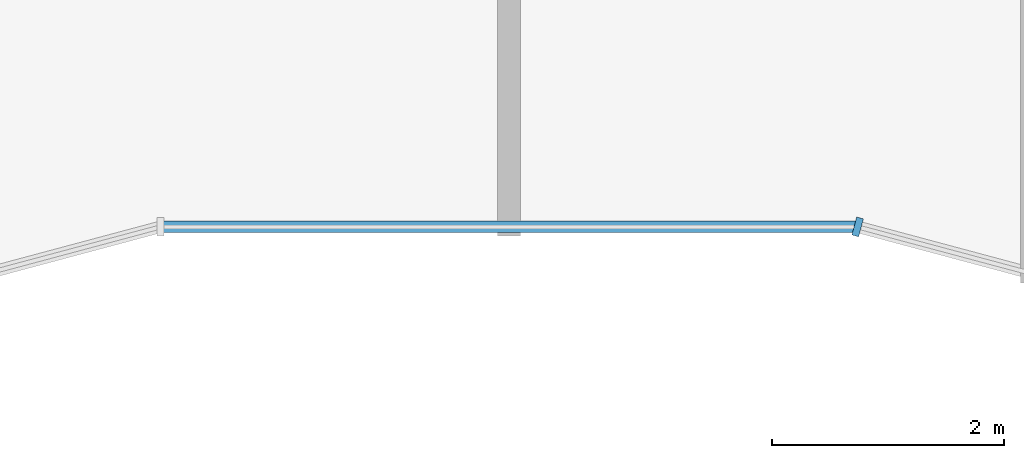
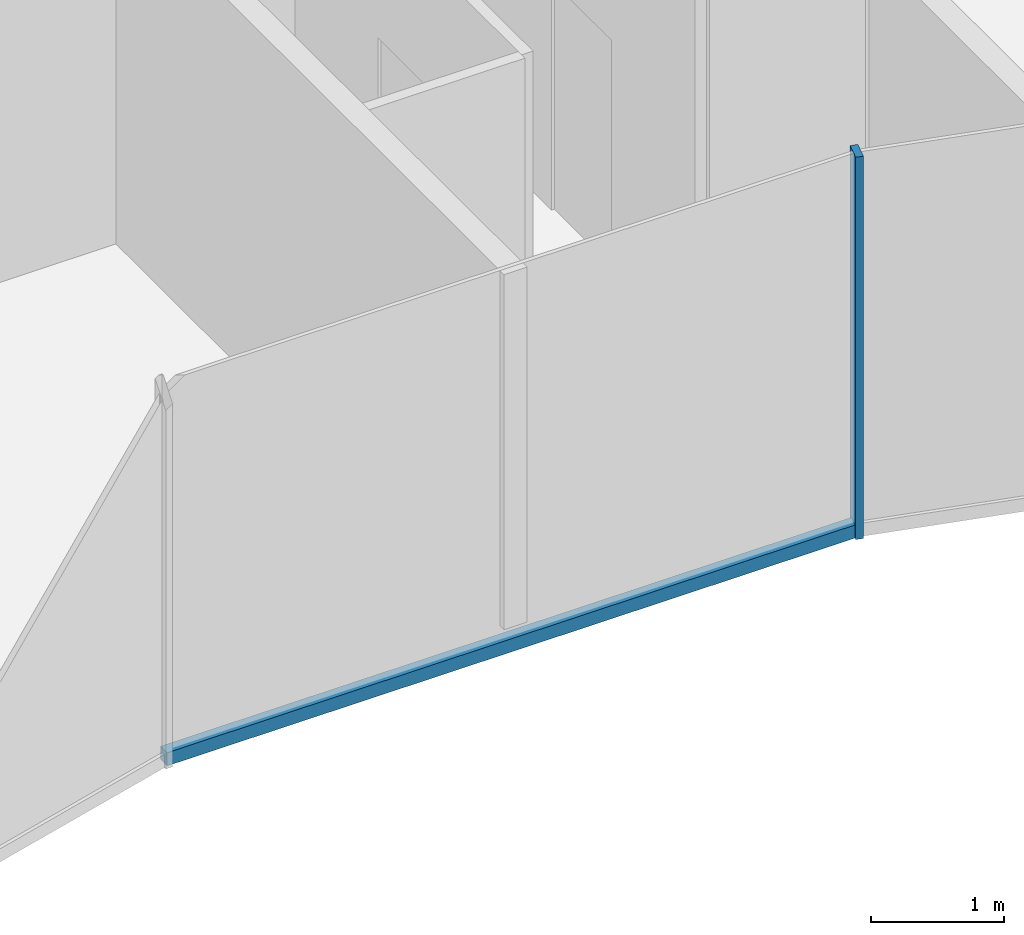
# One storey, part 3 of 17: 2 members, 2 elements without a shape of their own.
"""IFC4 building model written with IfcOpenShell, lengths in metres."""

import ifcopenshell
import ifcopenshell.guid

model = None  # the IFC model being written
_history = None  # IfcOwnerHistory: only IFC2X3 demands one
_inside = {}  # id of a spatial element -> (the spatial element, [elements in it])
_under = {}  # id of a project, library or spatial element -> (it, [spatial elements below it])
_declared = {}  # id of a project -> (the project, [libraries it declares])
_typed = {}  # id of a type object -> (the type object, [elements of that type])
_made_of = {}  # id of a material, layer set ... -> (it, [elements and type objects made of it])


def new_model(schema):
    """Start an empty IFC model of exactly this schema.

    Asked for "IFC4X3", IfcOpenShell would pick the latest addendum, in which some entities
    have other attributes; the version numbers below select the first issue.
    IFC2X3 requires an IfcOwnerHistory on every rooted entity: one is made here for all.
    """
    global model, _history
    if schema == "IFC4X3":
        model = ifcopenshell.file(schema_version=(4, 3, 0, 0))
    else:
        model = ifcopenshell.file(schema=schema)
    _inside.clear()
    _under.clear()
    _declared.clear()
    _typed.clear()
    _made_of.clear()
    _history = None
    if model.schema == "IFC2X3":
        org = make("IfcOrganization", Name="unknown")
        user = make(
            "IfcPersonAndOrganization",
            ThePerson=make("IfcPerson", FamilyName="unknown"),
            TheOrganization=org,
        )
        app = make(
            "IfcApplication",
            ApplicationDeveloper=org,
            Version="unknown",
            ApplicationFullName="unknown",
            ApplicationIdentifier="unknown",
        )
        _history = make(
            "IfcOwnerHistory",
            OwningUser=user,
            OwningApplication=app,
            ChangeAction="ADDED",
            CreationDate=0,
        )
    return model


def make(cls, **values):
    """One entity of the class cls with the attributes given. An attribute that is None is left unset."""
    return model.create_entity(
        cls, **{name: value for name, value in values.items() if value is not None}
    )


def rooted(cls, **values):
    """An entity with a GlobalId (a new one), such as an element, a storey or a relation."""
    return make(cls, GlobalId=ifcopenshell.guid.new(), OwnerHistory=_history, **values)


def si_unit(unit_type, name, prefix=None):
    """IfcSIUnit, for example si_unit("LENGTHUNIT", "METRE", prefix="MILLI")."""
    return make("IfcSIUnit", UnitType=unit_type, Prefix=prefix, Name=name)


def assignment(units):
    """IfcUnitAssignment: the units of a project."""
    return None if units is None else make("IfcUnitAssignment", Units=units)


def point(xyz):
    """IfcCartesianPoint."""
    return None if xyz is None else make("IfcCartesianPoint", Coordinates=xyz)


def direction(xyz):
    """IfcDirection."""
    return None if xyz is None else make("IfcDirection", DirectionRatios=xyz)


def frame(location, z_axis=None, x_axis=None):
    """IfcAxis2Placement3D, a coordinate frame: its origin and axes. An axis left out is left unset."""
    return make(
        "IfcAxis2Placement3D",
        Location=point(location),
        Axis=direction(z_axis),
        RefDirection=direction(x_axis),
    )


def frame_2d(location, x_axis=None):
    """IfcAxis2Placement2D, a coordinate frame in the plane: its origin and x axis."""
    return make(
        "IfcAxis2Placement2D", Location=point(location), RefDirection=direction(x_axis)
    )


def origin():
    """The frame at (0, 0, 0) with its axes left unset."""
    return frame((0.0, 0.0, 0.0))


def origin_2d():
    """The frame at (0, 0) in the plane with its x axis left unset."""
    return frame_2d((0.0, 0.0))


def place(relative_to, where):
    """IfcLocalPlacement: puts the frame where relative to a parent placement (None: the world)."""
    return make(
        "IfcLocalPlacement", PlacementRelTo=relative_to, RelativePlacement=where
    )


def context(
    kind, dimensions, precision=None, world=None, true_north=None, identifier=None
):
    """IfcGeometricRepresentationContext, for example the 3D "Model" context."""
    return make(
        "IfcGeometricRepresentationContext",
        ContextIdentifier=identifier,
        ContextType=kind,
        CoordinateSpaceDimension=dimensions,
        Precision=precision,
        WorldCoordinateSystem=world,
        TrueNorth=true_north,
    )


def subcontext(parent, identifier, kind, view, scale=None):
    """IfcGeometricRepresentationSubContext, for example "Body" below "Model"."""
    return make(
        "IfcGeometricRepresentationSubContext",
        ContextIdentifier=identifier,
        ContextType=kind,
        ParentContext=parent,
        TargetScale=scale,
        TargetView=view,
    )


def project(units=None, contexts=None):
    """IfcProject with its units and contexts."""
    return rooted(
        "IfcProject",
        Name="project",
        RepresentationContexts=contexts,
        UnitsInContext=assignment(units),
    )


def spatial(cls, under=None, at=None, **own):
    """A site, building, storey or space (cls), placed at a placement, below another one or the project."""
    s = rooted(cls, ObjectPlacement=at, **own)
    if under is not None:
        _under.setdefault(under.id(), (under, []))[1].append(s)
    return s


def profile(cls, at=None, kind="AREA", **sizes):
    """A parametric profile (cls). Its sizes go by their IFC names, for example OverallWidth=200.0."""
    return make(cls, ProfileType=kind, Position=at, **sizes)


def rectangle(**sizes):
    """IfcRectangleProfileDef."""
    return profile("IfcRectangleProfileDef", **sizes)


def extrude(swept, where, along, depth):
    """IfcExtrudedAreaSolid: the profile swept, set in the frame where, extruded along a direction by depth."""
    return make(
        "IfcExtrudedAreaSolid",
        SweptArea=swept,
        Position=where,
        ExtrudedDirection=direction(along),
        Depth=depth,
    )


def shape(context_of_items, identifier, shape_type, items):
    """IfcShapeRepresentation: the items that make up one representation, for example the "Body"."""
    return make(
        "IfcShapeRepresentation",
        ContextOfItems=context_of_items,
        RepresentationIdentifier=identifier,
        RepresentationType=shape_type,
        Items=items,
    )


def material(Name=None, Category=None):
    """IfcMaterial."""
    return make("IfcMaterial", Name=Name, Category=Category)


def layer(
    of_material, thickness, ventilated=None, Name=None, Category=None, Priority=None
):
    """IfcMaterialLayer: one layer of a wall or slab, of a material (None: an air gap)."""
    return make(
        "IfcMaterialLayer",
        Material=of_material,
        LayerThickness=thickness,
        IsVentilated=ventilated,
        Name=Name,
        Category=Category,
        Priority=Priority,
    )


def layer_set(layers, Name=None):
    """IfcMaterialLayerSet."""
    return make("IfcMaterialLayerSet", MaterialLayers=layers, LayerSetName=Name)


def material_profile(
    of_material, cross_section, Name=None, Category=None, Priority=None
):
    """IfcMaterialProfile: a cross section and its material."""
    return make(
        "IfcMaterialProfile",
        Name=Name,
        Material=of_material,
        Profile=cross_section,
        Priority=Priority,
        Category=Category,
    )


def profile_set(profiles, Name=None, composite=None):
    """IfcMaterialProfileSet."""
    return make(
        "IfcMaterialProfileSet",
        Name=Name,
        MaterialProfiles=profiles,
        CompositeProfile=composite,
    )


def made_of(thing, what):
    """Note that an element or type object is made of a material, layer set ...; save() writes the relation."""
    if what is not None:
        _made_of.setdefault(what.id(), (what, []))[1].append(thing)
    return thing


def type_object(cls, material=None, **own):
    """A type object (cls), such as IfcWallType, which elements share."""
    return made_of(rooted(cls, **own), material)


def element(
    cls,
    number,
    at=None,
    inside=None,
    cuts=None,
    type_object=None,
    material=None,
    context=None,
    identifier="Body",
    shape_type=None,
    held_by="IfcProductDefinitionShape",
    body=None,
    shapes=None,
    **own,
):
    """One element of the class cls, such as IfcWall. Its Tag is "e" and its number.

    at: its placement. inside: the storey or other place that contains it. cuts: it is an
    opening in that element (IfcRelVoidsElement). A single representation is given by context,
    identifier, shape_type and body (its items); several are given by shapes. held_by: the class
    of the entity that holds the representations. save() writes the other relations.
    """
    e = rooted(cls, Tag="e%d" % number, ObjectPlacement=at, **own)
    if body is not None:
        shapes = [shape(context, identifier, shape_type, body)]
    if shapes is not None:
        e.Representation = make(held_by, Representations=shapes)
    if inside is not None:
        _inside.setdefault(inside.id(), (inside, []))[1].append(e)
    if cuts is not None:
        rooted(
            "IfcRelVoidsElement", RelatingBuildingElement=cuts, RelatedOpeningElement=e
        )
    if type_object is not None:
        _typed.setdefault(type_object.id(), (type_object, []))[1].append(e)
    return made_of(e, material)


def aggregate(whole, parts):
    """IfcRelAggregates: a whole, such as a stair, and the parts it consists of."""
    return rooted("IfcRelAggregates", RelatingObject=whole, RelatedObjects=parts)


def save(model, path):
    """Write the relations noted so far, then the file.

    IfcRelAggregates (storeys below a building ...), IfcRelContainedInSpatialStructure (elements
    in a storey), IfcRelDefinesByType, IfcRelAssociatesMaterial and IfcRelDeclares: one each for
    every whole, place, type object, material and project.
    """
    for whole, parts in _under.values():
        aggregate(whole, parts)
    for where, things in _inside.values():
        rooted(
            "IfcRelContainedInSpatialStructure",
            RelatedElements=things,
            RelatingStructure=where,
        )
    for kind, things in _typed.values():
        rooted("IfcRelDefinesByType", RelatedObjects=things, RelatingType=kind)
    for what, things in _made_of.values():
        rooted("IfcRelAssociatesMaterial", RelatedObjects=things, RelatingMaterial=what)
    for by, libraries in _declared.values():
        rooted("IfcRelDeclares", RelatingContext=by, RelatedDefinitions=libraries)
    model.write(path)


model = new_model("IFC4")

# Units and contexts
model_context = context("Model", 3, precision=1e-05, world=origin(), true_north=direction((0.0, 1.0)))
body_context = subcontext(model_context, "Body", "Model", "MODEL_VIEW")
ifc_project = project(units=[si_unit("LENGTHUNIT", "METRE"), si_unit("AREAUNIT", "SQUARE_METRE"), si_unit("VOLUMEUNIT", "CUBIC_METRE"), si_unit("PLANEANGLEUNIT", "RADIAN"), si_unit("MASSUNIT", "GRAM", prefix="KILO")], contexts=[model_context])

# Site, building, storey
site_placement = place(None, origin())
site = spatial("IfcSite", under=ifc_project, at=site_placement, CompositionType="ELEMENT")
building_placement = place(site_placement, origin())
building = spatial("IfcBuilding", under=site, at=building_placement, Name="Plateau Cross Towers", CompositionType="ELEMENT")
storey_placement = place(building_placement, frame((0.0, 0.0, 146.39990234375)))
storey = spatial("IfcBuildingStorey", under=building, at=storey_placement, Name="L37", CompositionType="ELEMENT", Elevation=146.39990234375)

# Curtain wall, member
ifc_material_1 = material(Name="Dark low-iron glass", Category="glass")
ifc_layer = layer(ifc_material_1, 0.260009765625)
ifc_layer_set = layer_set([ifc_layer], Name="Dark low-iron glass")
curtain_wall_type = type_object("IfcCurtainWallType", Name="Curtain wall fluted unitised CW-A", PredefinedType="NOTDEFINED", material=ifc_layer_set)
curtain_wall_1_placement = place(storey_placement, origin())
curtain_wall_1 = element("IfcCurtainWall", 1, at=curtain_wall_1_placement, inside=storey, type_object=curtain_wall_type, Name="ENV/A/L37/A300_16", PredefinedType="NOTDEFINED")
ifc_material_2 = material(Name="Black anodised aluminium", Category="aluminium")
ifc_material_profile_1 = material_profile(ifc_material_2, rectangle(XDim=0.06005859375, YDim=0.159912109375, at=origin_2d()), Name="MULLION 60x160")
ifc_profile_set_1 = profile_set([ifc_material_profile_1], Name="Black anodised aluminium")
member_type_1 = type_object("IfcMemberType", Name="Mullion 60x160 fluted unitised", PredefinedType="MULLION", material=ifc_profile_set_1)
member_1_placement = place(storey_placement, frame((30.0, 1.60693359375, -0.25), z_axis=(0.0, 0.0, 1.0), x_axis=(0.965957983404, -0.258699003279, 0.0)))
member_1 = element("IfcMember", 2, at=member_1_placement, type_object=member_type_1, Name="CW-A mullion 1", PredefinedType="MULLION", context=body_context, shape_type="SweptSolid", body=[
    extrude(rectangle(XDim=0.06005859375, YDim=0.159912109375, at=origin_2d()), origin(), (0.0, 0.0, 1.0), 3.5),
])
aggregate(curtain_wall_1, [member_1])

curtain_wall_2_placement = place(storey_placement, origin())
curtain_wall_2 = element("IfcCurtainWall", 3, at=curtain_wall_2_placement, inside=storey, type_object=curtain_wall_type, Name="ENV/A/L37/A240_16", PredefinedType="NOTDEFINED")
ifc_material_profile_2 = material_profile(ifc_material_2, rectangle(XDim=0.10009765625, YDim=0.1201171875, at=origin_2d()), Name="TRANSOM 100x120")
ifc_profile_set_2 = profile_set([ifc_material_profile_2], Name="Black anodised aluminium")
member_type_2 = type_object("IfcMemberType", Name="Transom 100x120 fluted unitised", PredefinedType="USERDEFINED", material=ifc_profile_set_2)
member_2_placement = place(storey_placement, frame((24.0, 1.60693359375, -0.18994140625), z_axis=(1.0, 0.0, 0.0), x_axis=(0.0, 1.0, 0.0)))
member_2 = element("IfcMember", 4, at=member_2_placement, type_object=member_type_2, Name="CW-A transom", ObjectType="TRANSOM", PredefinedType="USERDEFINED", context=body_context, shape_type="SweptSolid", body=[
    extrude(rectangle(XDim=0.10009765625, YDim=0.1201171875, at=origin_2d()), origin(), (0.0, 0.0, 1.0), 6.0),
])
aggregate(curtain_wall_2, [member_2])

save(model, "model.ifc")
